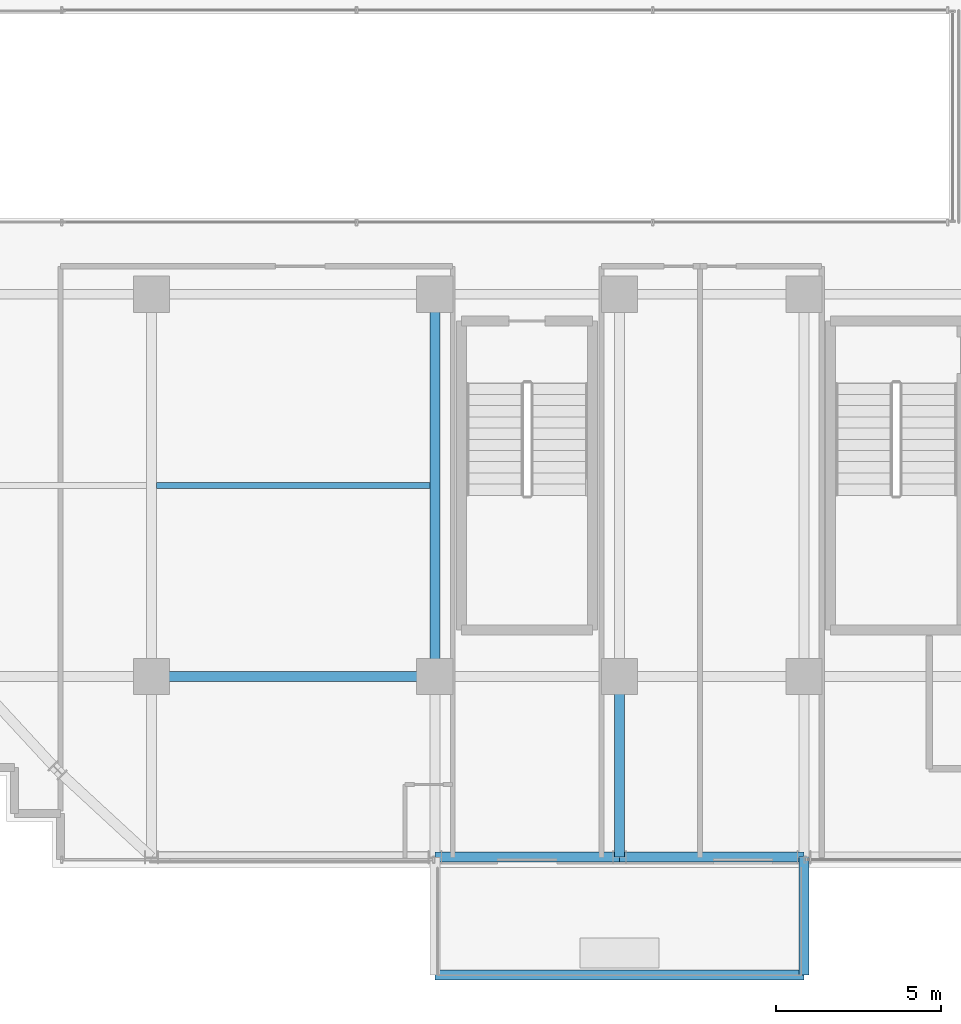
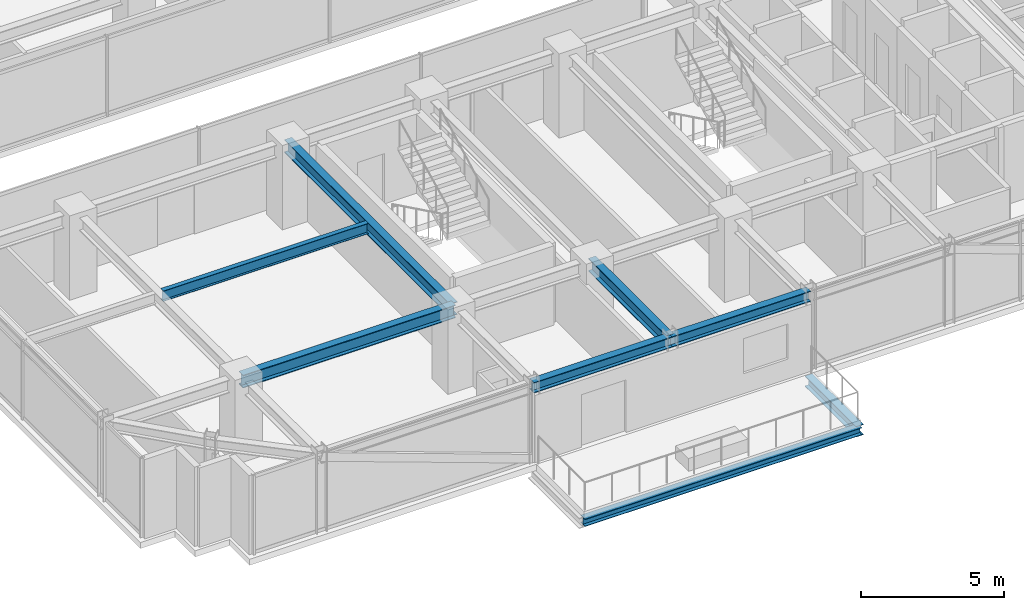
# One storey, part 4 of 38: 8 beams.
"""IFC4 building model written with IfcOpenShell, lengths in metres."""

from ifc_helpers import new_model, si_unit, direction, frame, origin, origin_2d, place, context, subcontext, project, spatial, i_section, extrude, source, transform, mapped, material, material_profile, profile_set, type_object, element, save


model = new_model("IFC4")

# Units and contexts
model_context = context("Model", 3, precision=1e-05, world=origin(), true_north=direction((0.0, 1.0)))
body_context = subcontext(model_context, "Body", "Model", "MODEL_VIEW")
ifc_project = project(units=[si_unit("LENGTHUNIT", "METRE"), si_unit("AREAUNIT", "SQUARE_METRE"), si_unit("VOLUMEUNIT", "CUBIC_METRE"), si_unit("PLANEANGLEUNIT", "RADIAN"), si_unit("MASSUNIT", "GRAM", prefix="KILO")], contexts=[model_context])

# Site, building, storey
site_placement = place(None, origin())
site = spatial("IfcSite", under=ifc_project, at=site_placement, CompositionType="ELEMENT")
building_placement = place(site_placement, origin())
building = spatial("IfcBuilding", under=site, at=building_placement, Name="Nahalor Promenade Grand Hotel", CompositionType="ELEMENT")
storey_placement = place(building_placement, frame((0.0, 0.0, 163.60009765625)))
storey = spatial("IfcBuildingStorey", under=building, at=storey_placement, Name="L41", CompositionType="ELEMENT", Elevation=163.60009765625)

# Beams
ifc_material = material(Name="Steel S355JR", Category="steel")
ifc_material_profile_1 = material_profile(ifc_material, i_section(OverallWidth=0.3, OverallDepth=0.32, WebThickness=0.0115, FlangeThickness=0.0205, at=origin_2d()), Name="HEB 320")
ifc_profile_set_1 = profile_set([ifc_material_profile_1], Name="Steel S355JR")
beam_type_1 = type_object("IfcBeamType", Name="Beam-BalcEdge-HEB320", PredefinedType="SPANDREL", material=ifc_profile_set_1)
shared_shape_1 = source(origin(), body_context, "Body", "SweptSolid", [
    extrude(i_section(OverallWidth=0.3, OverallDepth=0.32, WebThickness=0.0115, FlangeThickness=0.0205, at=origin_2d()), origin(), (0.0, 0.0, 1.0), 11.199951171875),
])
beam_1_placement = place(storey_placement, frame((-8.39990234375, -26.06005859375, -0.440185546875), z_axis=(1.0, 0.0, 0.0), x_axis=(0.0, 1.0, 0.0)))
element("IfcBeam", 1, at=beam_1_placement, inside=storey, type_object=beam_type_1, Name="BM-L41-BC-01-F", PredefinedType="SPANDREL", context=body_context, shape_type="MappedRepresentation", body=[
    mapped(shared_shape_1, transform((0.0, 0.0, 0.0), scale=1.0)),
])
ifc_material_profile_2 = material_profile(ifc_material, i_section(OverallWidth=0.3, OverallDepth=0.45, WebThickness=0.014, FlangeThickness=0.026, at=origin_2d()), Name="HEB 450")
ifc_profile_set_2 = profile_set([ifc_material_profile_2], Name="Steel S355JR")
beam_type_2 = type_object("IfcBeamType", Name="Beam-Outrigger-HEB450", PredefinedType="BEAM", material=ifc_profile_set_2)
shared_shape_2 = source(origin(), body_context, "Body", "SweptSolid", [
    extrude(i_section(OverallWidth=0.3, OverallDepth=0.45, WebThickness=0.014, FlangeThickness=0.026, at=origin_2d()), origin(), (0.0, 0.0, 1.0), 3.580078125),
])
beam_2_placement = place(storey_placement, frame((2.800048828125, -26.06005859375, -0.505126953125), z_axis=(0.0, 1.0, 0.0), x_axis=(-1.0, 0.0, 0.0)))
element("IfcBeam", 2, at=beam_2_placement, inside=storey, type_object=beam_type_2, Name="BM-L41-BC-01-2", PredefinedType="BEAM", context=body_context, shape_type="MappedRepresentation", body=[
    mapped(shared_shape_2, transform((0.0, 0.0, 0.0), scale=1.0)),
])
ifc_material_profile_3 = material_profile(ifc_material, i_section(OverallWidth=0.3, OverallDepth=0.55, WebThickness=0.015, FlangeThickness=0.029, at=origin_2d()), Name="HEB 550")
ifc_profile_set_3 = profile_set([ifc_material_profile_3], Name="Steel S355JR")
beam_type_3 = type_object("IfcBeamType", Name="Beam-Girder-HEB550", PredefinedType="BEAM", material=ifc_profile_set_3)
shared_shape_3 = source(origin(), body_context, "Body", "SweptSolid", [
    extrude(i_section(OverallWidth=0.3, OverallDepth=0.55, WebThickness=0.015, FlangeThickness=0.029, at=origin_2d()), origin(), (0.0, 0.0, 1.0), 8.60009765625),
])
beam_3_placement = place(storey_placement, frame((-17.0, -17.0, 3.114990234375), z_axis=(1.0, 0.0, 0.0), x_axis=(0.0, 1.0, 0.0)))
element("IfcBeam", 3, at=beam_3_placement, inside=storey, type_object=beam_type_3, Name="BM-L41-GX-0-1", PredefinedType="BEAM", context=body_context, shape_type="MappedRepresentation", body=[
    mapped(shared_shape_3, transform((0.0, 0.0, 0.0), scale=1.0)),
])
shared_shape_4 = source(origin(), body_context, "Body", "SweptSolid", [
    extrude(i_section(OverallWidth=0.3, OverallDepth=0.55, WebThickness=0.015, FlangeThickness=0.029, at=origin_2d()), origin(), (0.0, 0.0, 1.0), 11.60009765625),
])
beam_4_placement = place(storey_placement, frame((-8.39990234375, -17.0, 3.114990234375), z_axis=(0.0, 1.0, 0.0), x_axis=(-1.0, 0.0, 0.0)))
element("IfcBeam", 4, at=beam_4_placement, inside=storey, type_object=beam_type_3, Name="BM-L41-GY-1-1", PredefinedType="BEAM", context=body_context, shape_type="MappedRepresentation", body=[
    mapped(shared_shape_4, transform((0.0, 0.0, 0.0), scale=1.0)),
])
ifc_material_profile_4 = material_profile(ifc_material, i_section(OverallWidth=0.19, OverallDepth=0.45, WebThickness=0.0094, FlangeThickness=0.0146, at=origin_2d()), Name="IPE 450")
ifc_profile_set_4 = profile_set([ifc_material_profile_4], Name="Steel S355JR")
beam_type_4 = type_object("IfcBeamType", Name="Beam-Joist-IPE450", PredefinedType="JOIST", material=ifc_profile_set_4)
shared_shape_5 = source(origin(), body_context, "Body", "SweptSolid", [
    extrude(i_section(OverallWidth=0.19, OverallDepth=0.45, WebThickness=0.0094, FlangeThickness=0.0146, at=origin_2d()), origin(), (0.0, 0.0, 1.0), 8.300048828125),
])
beam_5_placement = place(storey_placement, frame((-16.85009765625, -11.199951171875, 3.164794921875), z_axis=(1.0, 0.0, 0.0), x_axis=(0.0, 1.0, 0.0)))
element("IfcBeam", 5, at=beam_5_placement, inside=storey, type_object=beam_type_4, Name="BM-L41-JSW-0-1", PredefinedType="JOIST", context=body_context, shape_type="MappedRepresentation", body=[
    mapped(shared_shape_5, transform((0.0, 0.0, 0.0), scale=1.0)),
])
shared_shape_6 = source(origin(), body_context, "Body", "SweptSolid", [
    extrude(i_section(OverallWidth=0.3, OverallDepth=0.55, WebThickness=0.015, FlangeThickness=0.029, at=origin_2d()), origin(), (0.0, 0.0, 1.0), 5.47998046875),
])
beam_6_placement = place(storey_placement, frame((-2.800048828125, -22.47998046875, 3.114990234375), z_axis=(0.0, 1.0, 0.0), x_axis=(-1.0, 0.0, 0.0)))
element("IfcBeam", 6, at=beam_6_placement, inside=storey, type_object=beam_type_3, Name="BM-L41-GY-2-0", PredefinedType="BEAM", context=body_context, shape_type="MappedRepresentation", body=[
    mapped(shared_shape_6, transform((0.0, 0.0, 0.0), scale=1.0)),
])
ifc_material_profile_5 = material_profile(ifc_material, i_section(OverallWidth=0.3, OverallDepth=0.45, WebThickness=0.014, FlangeThickness=0.026, at=origin_2d()), Name="HEB 450")
ifc_profile_set_5 = profile_set([ifc_material_profile_5], Name="Steel S355JR")
beam_type_5 = type_object("IfcBeamType", Name="Beam-Spandrel-HEB450", PredefinedType="SPANDREL", material=ifc_profile_set_5)
shared_shape_7 = source(origin(), body_context, "Body", "SweptSolid", [
    extrude(i_section(OverallWidth=0.3, OverallDepth=0.45, WebThickness=0.014, FlangeThickness=0.026, at=origin_2d()), origin(), (0.0, 0.0, 1.0), 5.599853515625),
])
beam_7_placement = place(storey_placement, frame((-8.39990234375, -22.47998046875, 3.164794921875), z_axis=(1.0, 0.0, 0.0), x_axis=(0.0, 1.0, 0.0)))
element("IfcBeam", 7, at=beam_7_placement, inside=storey, type_object=beam_type_5, Name="BM-L41-SP-S-1", PredefinedType="SPANDREL", context=body_context, shape_type="MappedRepresentation", body=[
    mapped(shared_shape_7, transform((0.0, 0.0, 0.0), scale=1.0)),
])
shared_shape_8 = source(origin(), body_context, "Body", "SweptSolid", [
    extrude(i_section(OverallWidth=0.3, OverallDepth=0.45, WebThickness=0.014, FlangeThickness=0.026, at=origin_2d()), origin(), (0.0, 0.0, 1.0), 5.60009765625),
])
beam_8_placement = place(storey_placement, frame((-2.800048828125, -22.47998046875, 3.164794921875), z_axis=(1.0, 0.0, 0.0), x_axis=(0.0, 1.0, 0.0)))
element("IfcBeam", 8, at=beam_8_placement, inside=storey, type_object=beam_type_5, Name="BM-L41-SP-S-2", PredefinedType="SPANDREL", context=body_context, shape_type="MappedRepresentation", body=[
    mapped(shared_shape_8, transform((0.0, 0.0, 0.0), scale=1.0)),
])

save(model, "model.ifc")
